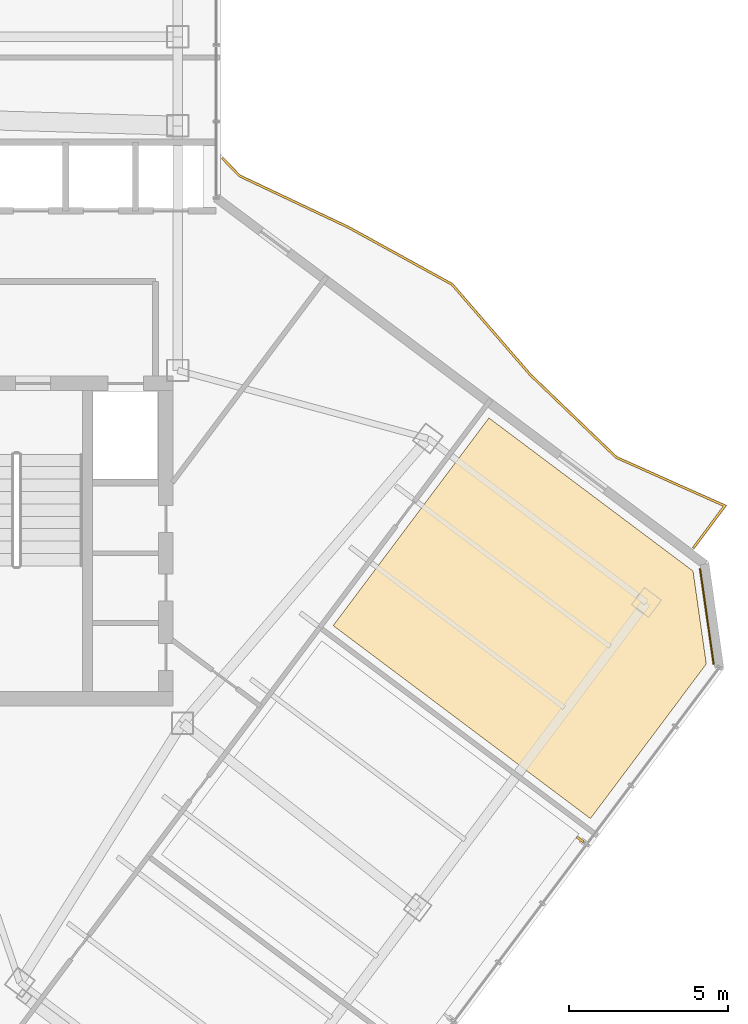
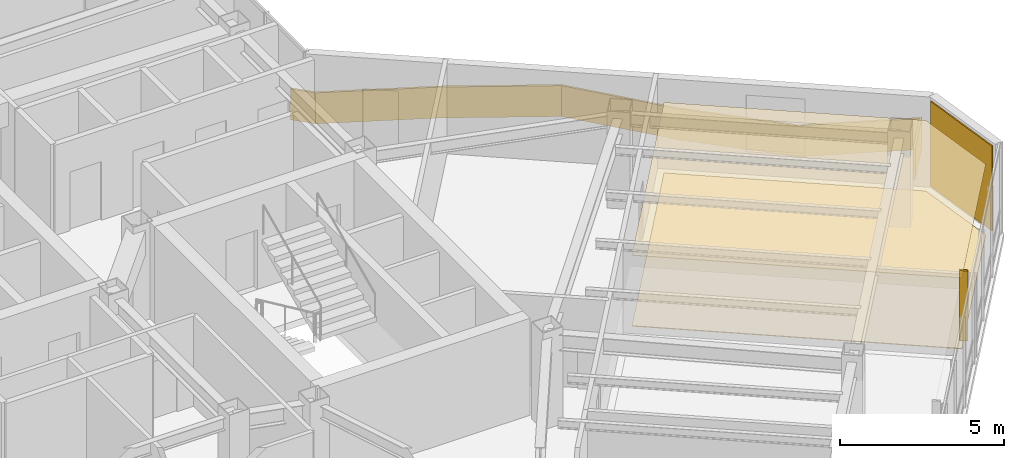
# One storey, part 25 of 26: 3 coverings, 1 railing, 1 shading device.
"""IFC4 building model written with IfcOpenShell, lengths in metres."""

from ifc_helpers import new_model, si_unit, direction, frame, origin, origin_2d, place, context, subcontext, project, spatial, polyline, rectangle, outline, extrude, material, layer, layer_set, type_object, element, save


model = new_model("IFC4")

# Units and contexts
model_context = context("Model", 3, precision=1e-05, world=origin(), true_north=direction((0.0, 1.0)))
body_context = subcontext(model_context, "Body", "Model", "MODEL_VIEW")
ifc_project = project(units=[si_unit("LENGTHUNIT", "METRE"), si_unit("AREAUNIT", "SQUARE_METRE"), si_unit("VOLUMEUNIT", "CUBIC_METRE"), si_unit("PLANEANGLEUNIT", "RADIAN"), si_unit("MASSUNIT", "GRAM", prefix="KILO")], contexts=[model_context])

# Site, building, storey
site_placement = place(None, origin())
site = spatial("IfcSite", under=ifc_project, at=site_placement, CompositionType="ELEMENT")
building_placement = place(site_placement, origin())
building = spatial("IfcBuilding", under=site, at=building_placement, Name="Hatsunagi Terrace Concourse", CompositionType="ELEMENT")
storey_placement = place(building_placement, frame((0.0, 0.0, 227.550048828125)))
storey = spatial("IfcBuildingStorey", under=building, at=storey_placement, Name="L60", CompositionType="ELEMENT", Elevation=227.550048828125)

# Covering
ifc_material_1 = material(Name="Acoustic mineral board", Category="gypsum")
ifc_layer_1 = layer(ifc_material_1, 0.02001953125)
ifc_layer_set_1 = layer_set([ifc_layer_1], Name="AcousticMineralCeiling_20")
covering_type_1 = type_object("IfcCoveringType", Name="AcousticMineralCeiling_20", PredefinedType="CEILING", material=ifc_layer_set_1)
covering_1_placement = place(storey_placement, frame((0.0, 0.0, 2.6298828125)))
element("IfcCovering", 1, at=covering_1_placement, inside=storey, type_object=covering_type_1, Name="Suspended Ceiling L60-2", PredefinedType="CEILING", context=body_context, shape_type="SweptSolid", body=[
    extrude(outline(polyline([(59.865966796875, 28.988037109375), (53.44189453125, 33.805908203125), (48.5400390625, 27.27001953125), (56.635986328125, 21.197998046875), (60.283935546875, 26.06201171875), (59.865966796875, 28.988037109375)])), origin(), (0.0, 0.0, 1.0), 0.02001953125),
])

# Railing
ifc_material_2 = material(Name="Laminated Glass and Stainless Steel Guard", Category="steel")
ifc_layer_2 = layer(ifc_material_2, 0.070068359375)
ifc_layer_set_2 = layer_set([ifc_layer_2], Name="BalconyGlassGuardRail_1150")
railing_type = type_object("IfcRailingType", Name="BalconyGlassGuardRail_1150", PredefinedType="BALUSTRADE", material=ifc_layer_set_2)
railing_placement = place(storey_placement, origin())
element("IfcRailing", 2, at=railing_placement, inside=storey, type_object=railing_type, Name="Engawa Balcony Guard GRD-01 L60-BSE-1", PredefinedType="BALUSTRADE", context=body_context, shape_type="SweptSolid", body=[
    extrude(outline(polyline([(45.071044921875, 42.01220703125), (45.02099609375, 41.963623046875), (45.572265625, 41.39404296875), (48.9990234375, 39.773681640625), (52.256591796875, 37.9814453125), (54.7275390625, 35.126953125), (57.43017578125, 32.532470703125), (60.810791015625, 31.02392578125), (59.842041015625, 29.73095703125), (59.89794921875, 29.68896484375), (60.919189453125, 31.052001953125), (57.4697265625, 32.591552734375), (54.7783203125, 35.175048828125), (52.301513671875, 38.03662109375), (49.031005859375, 39.836181640625), (45.61376953125, 41.451904296875), (45.071044921875, 42.01220703125)])), origin(), (0.0, 0.0, 1.0), 1.14990234375),
])

# Covering
ifc_material_3 = material(Name="Granite stone paving", Category="masonry")
ifc_layer_3 = layer(ifc_material_3, 0.02490234375)
ifc_layer_set_3 = layer_set([ifc_layer_3], Name="GraniteStoneFlooring_25")
covering_type_2 = type_object("IfcCoveringType", Name="GraniteStoneFlooring_25", PredefinedType="FLOORING", material=ifc_layer_set_3)
covering_2_placement = place(storey_placement, origin())
element("IfcCovering", 3, at=covering_2_placement, inside=storey, type_object=covering_type_2, Name="Finished Flooring L60-2", PredefinedType="FLOORING", context=body_context, shape_type="SweptSolid", body=[
    extrude(outline(polyline([(59.865966796875, 28.988037109375), (53.44189453125, 33.805908203125), (48.5400390625, 27.27001953125), (56.635986328125, 21.197998046875), (60.283935546875, 26.06201171875), (59.865966796875, 28.988037109375)])), origin(), (0.0, 0.0, 1.0), 0.02490234375),
])

# Shading device
ifc_material_4 = material(Name="Extruded Unglazed Terracotta Baguette", Category="masonry")
shading_device_type = type_object("IfcShadingDeviceType", Name="TerracottaFinScreen_260x70", PredefinedType="USERDEFINED", material=ifc_material_4)
shading_device_placement = place(storey_placement, frame((56.31591796875, 20.5390625, 0.849853515625), z_axis=(0.0, 0.0, 1.0), x_axis=(-0.599969314634, -0.800023013105, 0.0)))
element("IfcShadingDevice", 4, at=shading_device_placement, inside=storey, type_object=shading_device_type, Name="Terracotta Baguette Fin Screen SCR-01", ObjectType="SUNSHADE", PredefinedType="USERDEFINED", context=body_context, shape_type="SweptSolid", body=[
    extrude(rectangle(XDim=0.070068359375, YDim=0.260009765625, at=origin_2d()), origin(), (0.0, 0.0, 1.0), 2.60009765625),
])

# Covering
ifc_material_5 = material(Name="Unglazed Warm Terracotta Rainscreen Tile", Category="masonry")
ifc_layer_4 = layer(ifc_material_5, 0.044921875)
ifc_layer_set_4 = layer_set([ifc_layer_4], Name="TerracottaRainscreenCladding_45")
covering_type_3 = type_object("IfcCoveringType", Name="TerracottaRainscreenCladding_45", PredefinedType="CLADDING", material=ifc_layer_set_4)
covering_3_placement = place(storey_placement, frame((60.301025390625, 27.55810546875, 0.10009765625), z_axis=(0.0, 0.0, 1.0), x_axis=(0.141250262458, -0.989973920543, 0.0)))
element("IfcCovering", 5, at=covering_3_placement, inside=storey, type_object=covering_type_3, Name="Terracotta Rainscreen Cladding L60-02", PredefinedType="CLADDING", context=body_context, shape_type="SweptSolid", body=[
    extrude(rectangle(XDim=3.0380859375, YDim=0.044921875, at=origin_2d()), origin(), (0.0, 0.0, 1.0), 3.14990234375),
])

save(model, "model.ifc")
